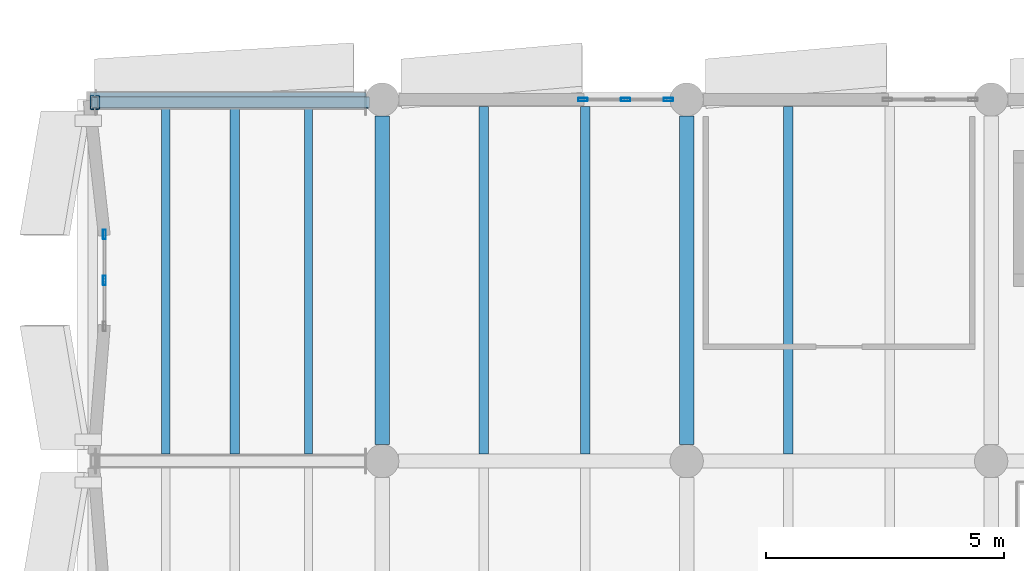
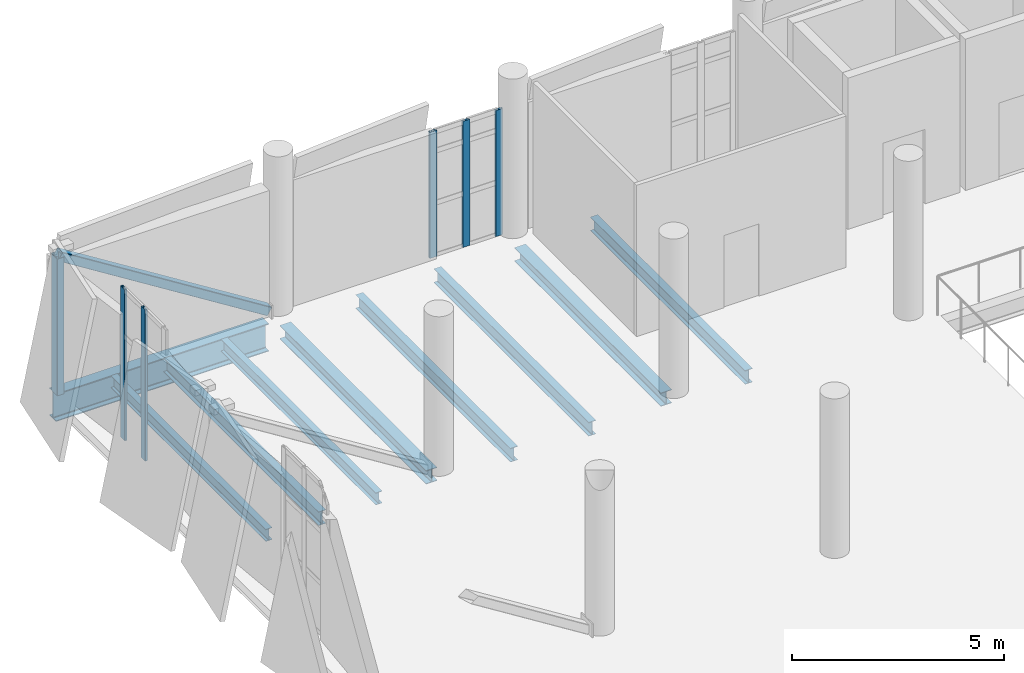
# One storey, part 22 of 74: 9 beams, 7 members, 2 elements without a shape of their own.
"""IFC4 building model written with IfcOpenShell, lengths in metres."""

from ifc_helpers import new_model, si_unit, direction, frame, origin, origin_2d, place, context, subcontext, project, spatial, hollow_rectangle, i_section, extrude, material, material_profile, profile_set, type_object, element, aggregate, save


model = new_model("IFC4")

# Units and contexts
model_context = context("Model", 3, precision=1e-05, world=origin(), true_north=direction((0.0, 1.0)))
body_context = subcontext(model_context, "Body", "Model", "MODEL_VIEW")
ifc_project = project(units=[si_unit("LENGTHUNIT", "METRE"), si_unit("AREAUNIT", "SQUARE_METRE"), si_unit("VOLUMEUNIT", "CUBIC_METRE"), si_unit("PLANEANGLEUNIT", "RADIAN"), si_unit("MASSUNIT", "GRAM", prefix="KILO")], contexts=[model_context])

# Site, building, storey
site_placement = place(None, origin())
site = spatial("IfcSite", under=ifc_project, at=site_placement, CompositionType="ELEMENT")
building_placement = place(site_placement, origin())
building = spatial("IfcBuilding", under=site, at=building_placement, Name="Shengluoqiao Park Theatre", CompositionType="ELEMENT")
storey_placement = place(building_placement, frame((0.0, 0.0, 14.60009765625)))
storey = spatial("IfcBuildingStorey", under=building, at=storey_placement, Name="L03", CompositionType="ELEMENT", Elevation=14.60009765625)

# Curtain wall, members
ifc_material_1 = material(Name="Aluminium 6063-T6", Category="aluminium")
curtain_wall_type = type_object("IfcCurtainWallType", Name="ENV-CW-FOYER", PredefinedType="NOTDEFINED", material=ifc_material_1)
curtain_wall_1_placement = place(storey_placement, origin())
curtain_wall_1 = element("IfcCurtainWall", 1, at=curtain_wall_1_placement, inside=storey, type_object=curtain_wall_type, Name="L03 Curtain Wall CW-L03-0076", PredefinedType="NOTDEFINED")
ifc_material_profile_1 = material_profile(ifc_material_1, hollow_rectangle(XDim=0.06494140625, YDim=0.199951171875, WallThickness=0.0048828125, InnerFilletRadius=0.0048828125, OuterFilletRadius=0.010009765625, at=origin_2d()), Name="ALU MULLION 200x65x5")
ifc_profile_set_1 = profile_set([ifc_material_profile_1], Name="Aluminium 6063-T6")
member_type_1 = type_object("IfcMemberType", Name="ENV-MUL-200", PredefinedType="MULLION", material=ifc_profile_set_1)
member_1_placement = place(storey_placement, frame((10.618408203125, 76.0, 0.0), z_axis=(0.0, 0.0, 1.0), x_axis=(0.0, 1.0, 0.0)))
member_1 = element("IfcMember", 2, at=member_1_placement, type_object=member_type_1, Name="CW-01 mullion 1", PredefinedType="MULLION", context=body_context, shape_type="SweptSolid", body=[
    extrude(hollow_rectangle(XDim=0.06494140625, YDim=0.199951171875, WallThickness=0.0048828125, InnerFilletRadius=0.0048828125, OuterFilletRadius=0.010009765625, at=origin_2d()), origin(), (0.0, 0.0, 1.0), 3.637939453125),
])
member_2_placement = place(storey_placement, frame((11.51611328125, 76.0, 0.0), z_axis=(0.0, 0.0, 1.0), x_axis=(0.0, 1.0, 0.0)))
member_2 = element("IfcMember", 3, at=member_2_placement, type_object=member_type_1, Name="CW-01 mullion 2", PredefinedType="MULLION", context=body_context, shape_type="SweptSolid", body=[
    extrude(hollow_rectangle(XDim=0.06494140625, YDim=0.199951171875, WallThickness=0.0048828125, InnerFilletRadius=0.0048828125, OuterFilletRadius=0.010009765625, at=origin_2d()), origin(), (0.0, 0.0, 1.0), 3.637939453125),
])
member_3_placement = place(storey_placement, frame((12.41357421875, 76.0, 0.0), z_axis=(0.0, 0.0, 1.0), x_axis=(0.0, 1.0, 0.0)))
member_3 = element("IfcMember", 4, at=member_3_placement, type_object=member_type_1, Name="CW-01 mullion 3", PredefinedType="MULLION", context=body_context, shape_type="SweptSolid", body=[
    extrude(hollow_rectangle(XDim=0.06494140625, YDim=0.199951171875, WallThickness=0.0048828125, InnerFilletRadius=0.0048828125, OuterFilletRadius=0.010009765625, at=origin_2d()), origin(), (0.0, 0.0, 1.0), 3.637939453125),
])
aggregate(curtain_wall_1, [member_1, member_2, member_3])

curtain_wall_2_placement = place(storey_placement, origin())
curtain_wall_2 = element("IfcCurtainWall", 5, at=curtain_wall_2_placement, inside=storey, type_object=curtain_wall_type, Name="L03 Curtain Wall CW-L03-SLIT-0249", PredefinedType="NOTDEFINED")
member_4_placement = place(storey_placement, frame((0.56005859375, 72.199951171875, 0.0), z_axis=(0.0, 0.0, 1.0), x_axis=(-1.0, 0.0, 0.0)))
member_4 = element("IfcMember", 6, at=member_4_placement, type_object=member_type_1, Name="CW-01 mullion 2", PredefinedType="MULLION", context=body_context, shape_type="SweptSolid", body=[
    extrude(hollow_rectangle(XDim=0.06494140625, YDim=0.199951171875, WallThickness=0.0048828125, InnerFilletRadius=0.0048828125, OuterFilletRadius=0.010009765625, at=origin_2d()), origin(), (0.0, 0.0, 1.0), 4.35986328125),
])
member_5_placement = place(storey_placement, frame((0.56005859375, 73.16748046875, 0.0), z_axis=(0.0, 0.0, 1.0), x_axis=(-1.0, 0.0, 0.0)))
member_5 = element("IfcMember", 7, at=member_5_placement, type_object=member_type_1, Name="CW-01 mullion 3", PredefinedType="MULLION", context=body_context, shape_type="SweptSolid", body=[
    extrude(hollow_rectangle(XDim=0.06494140625, YDim=0.199951171875, WallThickness=0.0048828125, InnerFilletRadius=0.0048828125, OuterFilletRadius=0.010009765625, at=origin_2d()), origin(), (0.0, 0.0, 1.0), 4.35986328125),
])
aggregate(curtain_wall_2, [member_4, member_5])

# Beams
ifc_material_2 = material(Name="Steel Q355", Category="steel")
ifc_material_profile_2 = material_profile(ifc_material_2, i_section(OverallWidth=0.300048828125, OverallDepth=0.389892578125, WebThickness=0.010009765625, FlangeThickness=0.01611328125, FilletRadius=0.01806640625, at=origin_2d()), Name="HM 390x300x10x16")
ifc_profile_set_2 = profile_set([ifc_material_profile_2], Name="Steel Q355")
beam_type_1 = type_object("IfcBeamType", Name="STR-BM-G-HM390", PredefinedType="BEAM", material=ifc_profile_set_2)
for number, where, z_axis, x_axis, name in (
    (8, (6.39990234375, 68.743896484375, -0.43505859375), (0.0, 1.0, 0.0), (-1.0, 0.0, 0.0), "L03 Transverse Girder 01311"),
    (9, (12.800048828125, 68.743896484375, -0.43505859375), (0.0, 1.0, 0.0), (-1.0, 0.0, 0.0), "L03 Transverse Girder 01314"),
):
    element("IfcBeam", number, at=place(storey_placement, frame(where, z_axis=z_axis, x_axis=x_axis)), inside=storey, type_object=beam_type_1, Name=name, PredefinedType="BEAM", context=body_context, shape_type="SweptSolid", body=[
        extrude(i_section(OverallWidth=0.300048828125, OverallDepth=0.389892578125, WebThickness=0.010009765625, FlangeThickness=0.01611328125, FilletRadius=0.01806640625, at=origin_2d()), origin(), (0.0, 0.0, 1.0), 6.912109375),
    ])
ifc_material_3 = material(Name="Steel Q390", Category="steel")
ifc_material_profile_3 = material_profile(ifc_material_3, i_section(OverallWidth=0.300048828125, OverallDepth=0.800048828125, WebThickness=0.013916015625, FlangeThickness=0.02587890625, FilletRadius=0.02587890625, at=origin_2d()), Name="HN 800x300x14x26")
ifc_profile_set_3 = profile_set([ifc_material_profile_3], Name="Steel Q390")
beam_type_2 = type_object("IfcBeamType", Name="STR-BM-G-HN800", PredefinedType="BEAM", material=ifc_profile_set_3)
beam_1_placement = place(storey_placement, frame((0.260009765625, 76.0, -0.64013671875), z_axis=(1.0, 0.0, 0.0), x_axis=(0.0, 1.0, 0.0)))
element("IfcBeam", 10, at=beam_1_placement, inside=storey, type_object=beam_type_2, Name="CT-V5-3 L03 Cantilever Overhang Chord", PredefinedType="BEAM", context=body_context, shape_type="SweptSolid", body=[
    extrude(i_section(OverallWidth=0.300048828125, OverallDepth=0.800048828125, WebThickness=0.013916015625, FlangeThickness=0.02587890625, FilletRadius=0.02587890625, at=origin_2d()), origin(), (0.0, 0.0, 1.0), 5.802001953125),
])
ifc_material_profile_4 = material_profile(ifc_material_2, i_section(OverallWidth=0.175048828125, OverallDepth=0.35009765625, WebThickness=0.007080078125, FlangeThickness=0.010986328125, FilletRadius=0.013916015625, at=origin_2d()), Name="HN 350x175x7x11")
ifc_profile_set_4 = profile_set([ifc_material_profile_4], Name="Steel Q355")
beam_type_3 = type_object("IfcBeamType", Name="STR-BM-J-HN350", PredefinedType="JOIST", material=ifc_profile_set_4)
for number, where, z_axis, x_axis, name in (
    (11, (1.85009765625, 68.5439453125, -0.4150390625), (0.0, 1.0, 0.0), (-1.0, 0.0, 0.0), "V5 L03 Cantilever Joist 00063"),
    (12, (4.85009765625, 68.5439453125, -0.4150390625), (0.0, 1.0, 0.0), (-1.0, 0.0, 0.0), "V5 L03 Cantilever Joist 00066"),
):
    element("IfcBeam", number, at=place(storey_placement, frame(where, z_axis=z_axis, x_axis=x_axis)), inside=storey, type_object=beam_type_3, Name=name, PredefinedType="JOIST", context=body_context, shape_type="SweptSolid", body=[
        extrude(i_section(OverallWidth=0.175048828125, OverallDepth=0.35009765625, WebThickness=0.007080078125, FlangeThickness=0.010986328125, FilletRadius=0.013916015625, at=origin_2d()), origin(), (0.0, 0.0, 1.0), 7.31201171875),
    ])
ifc_material_profile_5 = material_profile(ifc_material_2, i_section(OverallWidth=0.199951171875, OverallDepth=0.39990234375, WebThickness=0.008056640625, FlangeThickness=0.012939453125, FilletRadius=0.01611328125, at=origin_2d()), Name="HN 400x200x8x13")
ifc_profile_set_5 = profile_set([ifc_material_profile_5], Name="Steel Q355")
beam_type_4 = type_object("IfcBeamType", Name="STR-BM-J-HN400", PredefinedType="JOIST", material=ifc_profile_set_5)
for number, where, z_axis, x_axis, name in (
    (13, (8.533203125, 68.544921875, -0.440185546875), (0.0, 1.0, 0.0), (-1.0, 0.0, 0.0), "L03 Composite Joist 01324"),
    (14, (10.666748046875, 68.544921875, -0.440185546875), (0.0, 1.0, 0.0), (-1.0, 0.0, 0.0), "L03 Composite Joist 01325"),
    (15, (14.933349609375, 68.544921875, -0.440185546875), (0.0, 1.0, 0.0), (-1.0, 0.0, 0.0), "L03 Composite Joist 01330"),
):
    element("IfcBeam", number, at=place(storey_placement, frame(where, z_axis=z_axis, x_axis=x_axis)), inside=storey, type_object=beam_type_4, Name=name, PredefinedType="JOIST", context=body_context, shape_type="SweptSolid", body=[
        extrude(i_section(OverallWidth=0.199951171875, OverallDepth=0.39990234375, WebThickness=0.008056640625, FlangeThickness=0.012939453125, FilletRadius=0.01611328125, at=origin_2d()), origin(), (0.0, 0.0, 1.0), 7.31005859375),
    ])
ifc_material_profile_6 = material_profile(ifc_material_2, i_section(OverallWidth=0.198974609375, OverallDepth=0.39599609375, WebThickness=0.007080078125, FlangeThickness=0.010986328125, FilletRadius=0.01611328125, at=origin_2d()), Name="HN 396x199x7x11")
ifc_profile_set_6 = profile_set([ifc_material_profile_6], Name="Steel Q355")
beam_type_5 = type_object("IfcBeamType", Name="STR-BM-SP-HN396", PredefinedType="SPANDREL", material=ifc_profile_set_6)
beam_2_placement = place(storey_placement, frame((3.300048828125, 68.5439453125, -0.43798828125), z_axis=(0.0, 1.0, 0.0), x_axis=(-1.0, 0.0, 0.0)))
element("IfcBeam", 16, at=beam_2_placement, inside=storey, type_object=beam_type_5, Name="V5 L03 Cantilever Spandrel 00061", PredefinedType="SPANDREL", context=body_context, shape_type="SweptSolid", body=[
    extrude(i_section(OverallWidth=0.198974609375, OverallDepth=0.39599609375, WebThickness=0.007080078125, FlangeThickness=0.010986328125, FilletRadius=0.01611328125, at=origin_2d()), origin(), (0.0, 0.0, 1.0), 7.31201171875),
])

# Members
ifc_material_profile_7 = material_profile(ifc_material_2, hollow_rectangle(XDim=0.25, YDim=0.25, WallThickness=0.011962890625, InnerFilletRadius=0.011962890625, OuterFilletRadius=0.02392578125, at=origin_2d()), Name="RHS 250x250x12")
ifc_profile_set_7 = profile_set([ifc_material_profile_7], Name="Steel Q355")
member_type_2 = type_object("IfcMemberType", Name="STR-MEM-BRR-250", PredefinedType="BRACE", material=ifc_profile_set_7)
member_6_placement = place(storey_placement, frame((6.06494140625, 75.93994140625, 0.119873046875), z_axis=(-0.847025493578, 0.0, 0.531552267635), x_axis=(0.0, -1.0, 0.0)))
element("IfcMember", 17, at=member_6_placement, inside=storey, type_object=member_type_2, Name="CT-V5-3 L03 Cantilever Raking Strut", PredefinedType="BRACE", context=body_context, shape_type="SweptSolid", body=[
    extrude(hollow_rectangle(XDim=0.25, YDim=0.25, WallThickness=0.011962890625, InnerFilletRadius=0.011962890625, OuterFilletRadius=0.02392578125, at=origin_2d()), origin(), (0.0, 0.0, 1.0), 6.735107421875),
])
ifc_material_profile_8 = material_profile(ifc_material_3, hollow_rectangle(XDim=0.199951171875, YDim=0.300048828125, WallThickness=0.011962890625, InnerFilletRadius=0.011962890625, OuterFilletRadius=0.02392578125, at=origin_2d()), Name="RHS 300x200x12")
ifc_profile_set_8 = profile_set([ifc_material_profile_8], Name="Steel Q390")
member_type_3 = type_object("IfcMemberType", Name="STR-MEM-PTR-302", PredefinedType="POST", material=ifc_profile_set_8)
member_7_placement = place(storey_placement, frame((0.360107421875, 75.93994140625, -0.260009765625), z_axis=(0.0, 0.0, 1.0), x_axis=(1.0, 0.0, 0.0)))
element("IfcMember", 18, at=member_7_placement, inside=storey, type_object=member_type_3, Name="CT-V5-3 L03 Cantilever Tip Post", PredefinedType="POST", context=body_context, shape_type="SweptSolid", body=[
    extrude(hollow_rectangle(XDim=0.199951171875, YDim=0.300048828125, WallThickness=0.011962890625, InnerFilletRadius=0.011962890625, OuterFilletRadius=0.02392578125, at=origin_2d()), origin(), (0.0, 0.0, 1.0), 3.93994140625),
])

save(model, "model.ifc")
